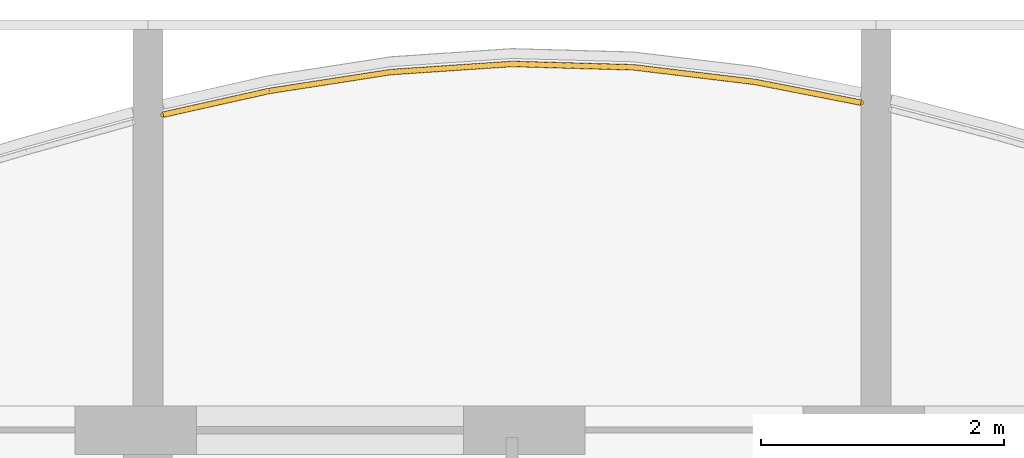
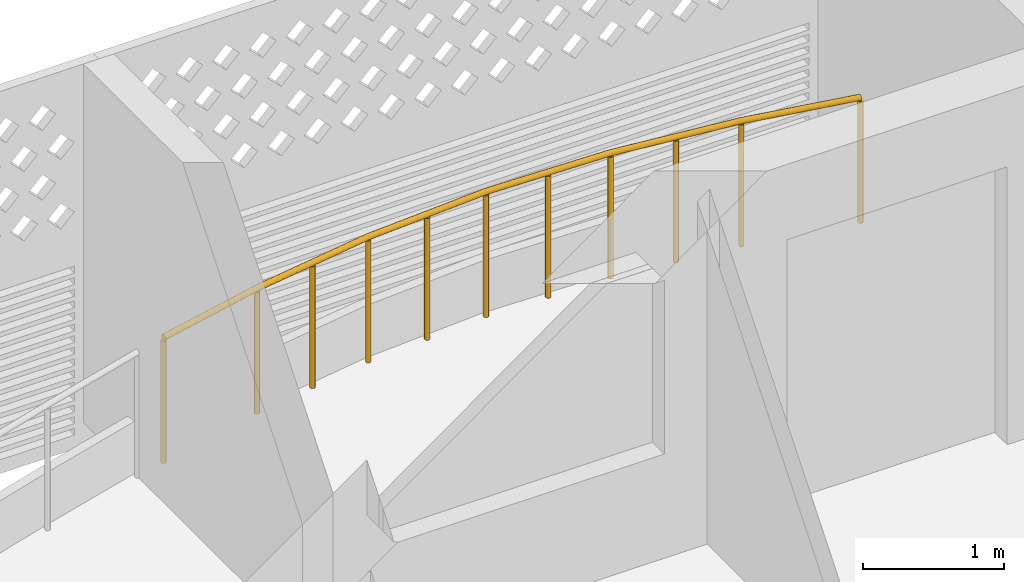
# One storey, part 37 of 40: 1 railing.
"""IFC4 building model written with IfcOpenShell, lengths in metres."""

from ifc_helpers import new_model, si_unit, direction, frame, origin, origin_2d, place, context, subcontext, project, spatial, circle, extrude, material, type_object, element, save


model = new_model("IFC4")

# Units and contexts
model_context = context("Model", 3, precision=1e-05, world=origin(), true_north=direction((0.0, 1.0)))
body_context = subcontext(model_context, "Body", "Model", "MODEL_VIEW")
ifc_project = project(units=[si_unit("LENGTHUNIT", "METRE"), si_unit("AREAUNIT", "SQUARE_METRE"), si_unit("VOLUMEUNIT", "CUBIC_METRE"), si_unit("PLANEANGLEUNIT", "RADIAN"), si_unit("MASSUNIT", "GRAM", prefix="KILO")], contexts=[model_context])

# Site, building, storey
site_placement = place(None, origin())
site = spatial("IfcSite", under=ifc_project, at=site_placement, CompositionType="ELEMENT")
building_placement = place(site_placement, origin())
building = spatial("IfcBuilding", under=site, at=building_placement, Name="Poui Terraces", CompositionType="ELEMENT")
storey_placement = place(building_placement, frame((0.0, 0.0, 36.60009765625)))
storey = spatial("IfcBuildingStorey", under=building, at=storey_placement, Name="L09", CompositionType="ELEMENT", Elevation=36.60009765625)

# Railing
ifc_material = material(Name="Painted steel fretwork", Category="steel")
railing_type = type_object("IfcRailingType", Name="BALCONY GUARD 1100", PredefinedType="GUARDRAIL", material=ifc_material)
railing_placement = place(storey_placement, frame((84.125, 47.39990234375, 0.0)))
element("IfcRailing", 1, at=railing_placement, inside=storey, type_object=railing_type, Name="BALCONY GUARD", PredefinedType="GUARDRAIL", context=body_context, shape_type="SweptSolid", body=[
    extrude(circle(Radius=0.02392578125, at=origin_2d()), frame((0.0, 0.0, 1.076171875), z_axis=(0.975923654922, 0.218112401672, 0.0), x_axis=(-0.218112401672, 0.975923654922, 0.0)), (0.0, 0.0, 1.0), 0.896484375),
    extrude(circle(Radius=0.02392578125, at=origin_2d()), frame((0.875, 0.195556640625, 1.076171875), z_axis=(0.9881587723, 0.153434809371, 0.0), x_axis=(-0.153434809371, 0.9881587723, 0.0)), (0.0, 0.0, 1.0), 1.011962890625),
    extrude(circle(Radius=0.02392578125, at=origin_2d()), frame((1.875, 0.350830078125, 1.076171875), z_axis=(0.997753790287, 0.066987864338, 0.0), x_axis=(-0.066987864338, 0.997753790287, 0.0)), (0.0, 0.0, 1.0), 1.002197265625),
    extrude(circle(Radius=0.02392578125, at=origin_2d()), frame((2.875, 0.41796875, 1.076171875), z_axis=(0.999612913888, -0.027821257857, 0.0), x_axis=(0.027821257857, 0.999612913888, 0.0)), (0.0, 0.0, 1.0), 1.00048828125),
    extrude(circle(Radius=0.02392578125, at=origin_2d()), frame((3.875, 0.39013671875, 1.076171875), z_axis=(0.992891742073, -0.119020958339, 0.0), x_axis=(0.119020958339, 0.992891742073, 0.0)), (0.0, 0.0, 1.0), 1.007080078125),
    extrude(circle(Radius=0.02392578125, at=origin_2d()), frame((4.875, 0.270263671875, 1.076171875), z_axis=(0.981403870586, -0.191954272679, 0.0), x_axis=(0.191954272679, 0.981403870586, 0.0)), (0.0, 0.0, 1.0), 0.8916015625),
    extrude(circle(Radius=0.02099609375, at=origin_2d()), origin(), (0.0, 0.0, 1.0), 1.052001953125),
    extrude(circle(Radius=0.02099609375, at=origin_2d()), frame((0.875, 0.195556640625, 0.0)), (0.0, 0.0, 1.0), 1.052001953125),
    extrude(circle(Radius=0.02099609375, at=origin_2d()), frame((1.375, 0.273193359375, 0.0)), (0.0, 0.0, 1.0), 1.052001953125),
    extrude(circle(Radius=0.02099609375, at=origin_2d()), frame((1.875, 0.350830078125, 0.0)), (0.0, 0.0, 1.0), 1.052001953125),
    extrude(circle(Radius=0.02099609375, at=origin_2d()), frame((2.375, 0.38427734375, 0.0)), (0.0, 0.0, 1.0), 1.052001953125),
    extrude(circle(Radius=0.02099609375, at=origin_2d()), frame((2.875, 0.41796875, 0.0)), (0.0, 0.0, 1.0), 1.052001953125),
    extrude(circle(Radius=0.02099609375, at=origin_2d()), frame((3.375, 0.404052734375, 0.0)), (0.0, 0.0, 1.0), 1.052001953125),
    extrude(circle(Radius=0.02099609375, at=origin_2d()), frame((3.875, 0.39013671875, 0.0)), (0.0, 0.0, 1.0), 1.052001953125),
    extrude(circle(Radius=0.02099609375, at=origin_2d()), frame((4.375, 0.330078125, 0.0)), (0.0, 0.0, 1.0), 1.052001953125),
    extrude(circle(Radius=0.02099609375, at=origin_2d()), frame((4.875, 0.270263671875, 0.0)), (0.0, 0.0, 1.0), 1.052001953125),
    extrude(circle(Radius=0.02099609375, at=origin_2d()), frame((5.75, 0.09912109375, 0.0)), (0.0, 0.0, 1.0), 1.052001953125),
])

save(model, "model.ifc")
